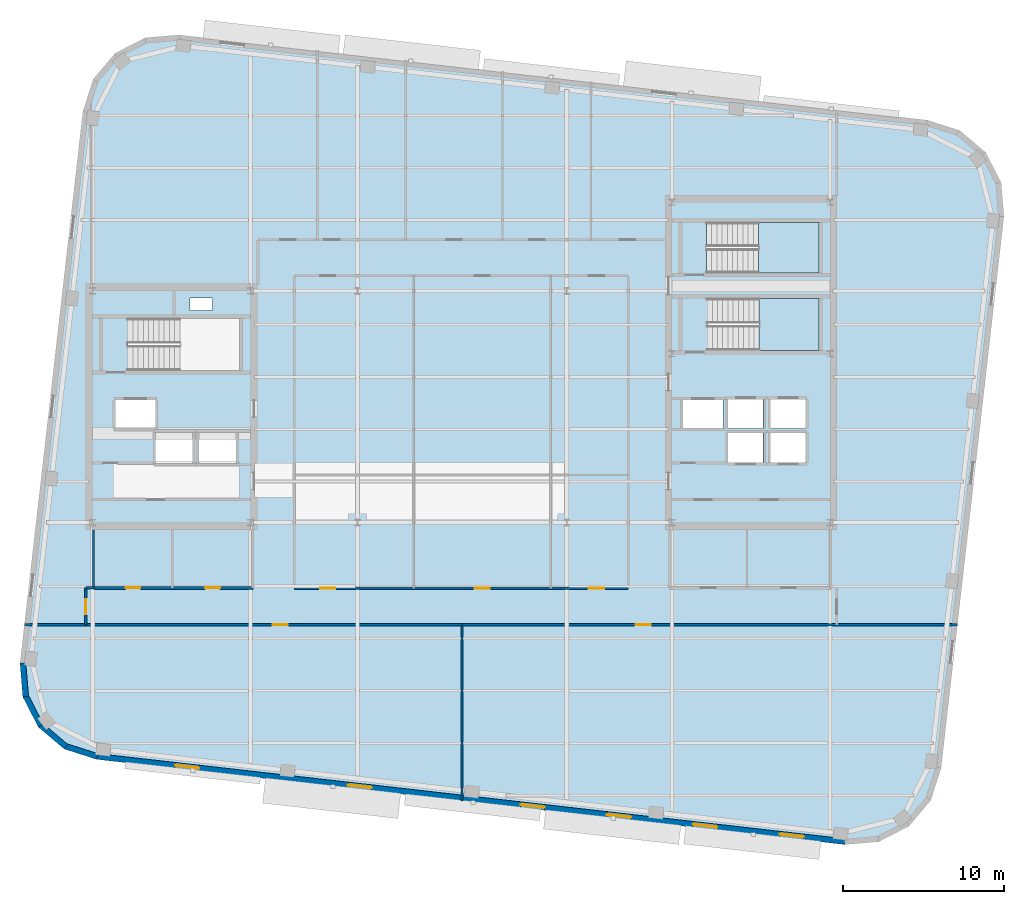
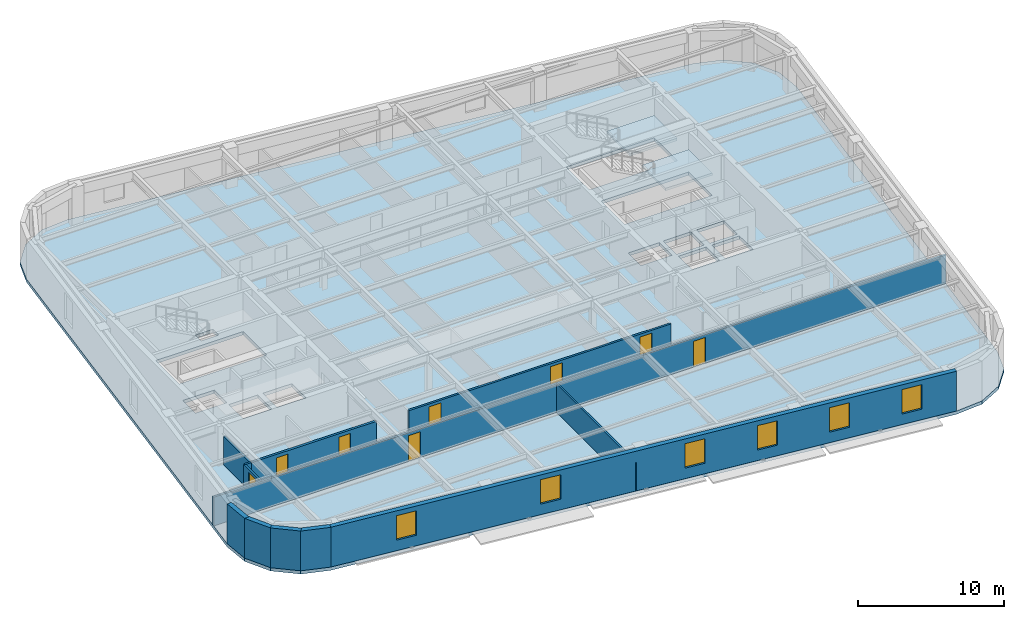
# One storey, part 5 of 13: 12 walls, 8 doors, 6 windows, 3 slabs, 14 openings, 2 elements without a shape of their own.
"""IFC4 building model written with IfcOpenShell, lengths in metres."""

from ifc_helpers import new_model, si_unit, direction, frame, frame_2d, origin, place, context, subcontext, project, spatial, polyline, rectangle, outline, extrude, material, layer, layer_set, type_object, element, fill, aggregate, save


model = new_model("IFC4")

# Units and contexts
model_context = context("Model", 3, precision=1e-05, world=origin(), true_north=direction((0.0, 1.0)))
body_context = subcontext(model_context, "Body", "Model", "MODEL_VIEW")
ifc_project = project(units=[si_unit("LENGTHUNIT", "METRE"), si_unit("AREAUNIT", "SQUARE_METRE"), si_unit("VOLUMEUNIT", "CUBIC_METRE"), si_unit("PLANEANGLEUNIT", "RADIAN"), si_unit("MASSUNIT", "GRAM", prefix="KILO")], contexts=[model_context])

# Site, building, storey
site_placement = place(None, origin())
site = spatial("IfcSite", under=ifc_project, at=site_placement, CompositionType="ELEMENT")
building_placement = place(site_placement, origin())
building = spatial("IfcBuilding", under=site, at=building_placement, Name="Kolvaren Arena Tower", CompositionType="ELEMENT")
storey_placement = place(building_placement, frame((0.0, 0.0, 265.949951171875)))
storey = spatial("IfcBuildingStorey", under=building, at=storey_placement, Name="L65", CompositionType="ELEMENT", Elevation=265.949951171875)

# Stair, slab
ifc_material_1 = material(Name="Concrete 45 MPa", Category="concrete")
stair_type_1 = type_object("IfcStairType", Name="STAIR-CORE-165", PredefinedType="HALF_TURN_STAIR", material=ifc_material_1)
stair_1_placement = place(storey_placement, origin())
stair_1 = element("IfcStair", 1, at=stair_1_placement, inside=storey, type_object=stair_type_1, Name="L65 ST-E1", PredefinedType="HALF_TURN_STAIR")
ifc_layer_1 = layer(ifc_material_1, 0.199951171875)
ifc_layer_set_1 = layer_set([ifc_layer_1], Name="Concrete 45 MPa")
slab_type_1 = type_object("IfcSlabType", Name="SLAB-LAND", PredefinedType="LANDING", material=ifc_layer_set_1)
slab_1_placement = place(storey_placement, frame((0.0, 0.0, 1.675048828125)))
slab_1 = element("IfcSlab", 2, at=slab_1_placement, type_object=slab_type_1, Name="ST-E1 landing 1", PredefinedType="LANDING", context=body_context, shape_type="SweptSolid", body=[
    extrude(outline(polyline([(55.9599609375, 30.14990234375), (59.659912109375, 30.14990234375), (59.659912109375, 33.3798828125), (55.9599609375, 33.3798828125), (55.9599609375, 30.14990234375)])), origin(), (0.0, 0.0, 1.0), 0.199951171875),
])
aggregate(stair_1, [slab_1])

stair_type_2 = type_object("IfcStairType", Name="STAIR-CORE-150", PredefinedType="HALF_TURN_STAIR", material=ifc_material_1)
stair_2_placement = place(storey_placement, origin())
stair_2 = element("IfcStair", 3, at=stair_2_placement, inside=storey, type_object=stair_type_2, Name="L65 ST-E2", PredefinedType="HALF_TURN_STAIR")
slab_2_placement = place(storey_placement, frame((0.0, 0.0, 1.675048828125)))
slab_2 = element("IfcSlab", 4, at=slab_2_placement, type_object=slab_type_1, Name="ST-E2 landing 1", PredefinedType="LANDING", context=body_context, shape_type="SweptSolid", body=[
    extrude(outline(polyline([(55.919921875, 34.949951171875), (59.659912109375, 34.949951171875), (59.659912109375, 38.10009765625), (55.919921875, 38.10009765625), (55.919921875, 34.949951171875)])), origin(), (0.0, 0.0, 1.0), 0.199951171875),
])
aggregate(stair_2, [slab_2])

# Slab
ifc_layer_2 = layer(ifc_material_1, 0.27001953125)
ifc_layer_set_2 = layer_set([ifc_layer_2], Name="Concrete 45 MPa")
slab_type_2 = type_object("IfcSlabType", Name="SLAB-OFF2", PredefinedType="FLOOR", material=ifc_layer_set_2)
slab_3_placement = place(storey_placement, frame((0.0, 0.0, -0.27001953125)))
element("IfcSlab", 5, at=slab_3_placement, inside=storey, type_object=slab_type_2, Name="L65 Primary Structural Slab", PredefinedType="FLOOR", context=body_context, shape_type="SweptSolid", body=[
    extrude(outline(polyline([(61.285400390625, -0.553466796875), (63.38525390625, -0.37890625), (65.25830078125, 0.585693359375), (66.619873046875, 2.194091796875), (67.26220703125, 4.20068359375), (71.16748046875, 38.47900390625), (70.9931640625, 40.57861328125), (70.0283203125, 42.45166015625), (68.42041015625, 43.81298828125), (66.41357421875, 44.455322265625), (19.91455078125, 49.75341796875), (17.814697265625, 49.578857421875), (15.941650390625, 48.6142578125), (14.580078125, 47.006103515625), (13.93798828125, 44.99951171875), (10.032470703125, 10.72119140625), (10.206787109375, 8.621337890625), (11.171630859375, 6.748291015625), (12.77978515625, 5.386962890625), (14.786376953125, 4.74462890625), (61.285400390625, -0.553466796875)]), holes=[polyline([(20.739990234375, 23.135009765625), (18.4599609375, 23.135009765625), (18.4599609375, 25.06494140625), (20.739990234375, 25.06494140625), (20.739990234375, 23.135009765625)]), polyline([(21.159912109375, 23.135009765625), (21.159912109375, 25.06494140625), (23.43994140625, 25.06494140625), (23.43994140625, 23.135009765625), (21.159912109375, 23.135009765625)]), polyline([(56.2099609375, 23.18505859375), (54.030029296875, 23.18505859375), (54.030029296875, 25.014892578125), (56.2099609375, 25.014892578125), (56.2099609375, 23.18505859375)]), polyline([(56.669921875, 23.18505859375), (56.669921875, 25.014892578125), (58.85009765625, 25.014892578125), (58.85009765625, 23.18505859375), (56.669921875, 23.18505859375)]), polyline([(54.030029296875, 25.284912109375), (54.030029296875, 27.114990234375), (56.2099609375, 27.114990234375), (56.2099609375, 25.284912109375), (54.030029296875, 25.284912109375)]), polyline([(58.85009765625, 25.284912109375), (56.669921875, 25.284912109375), (56.669921875, 27.114990234375), (58.85009765625, 27.114990234375), (58.85009765625, 25.284912109375)]), polyline([(15.9599609375, 25.3349609375), (15.9599609375, 27.06494140625), (18.43994140625, 27.06494140625), (18.43994140625, 25.3349609375), (15.9599609375, 25.3349609375)]), polyline([(53.699951171875, 25.3349609375), (51.219970703125, 25.3349609375), (51.219970703125, 27.06494140625), (53.699951171875, 27.06494140625), (53.699951171875, 25.3349609375)]), polyline([(16.735107421875, 28.89990234375), (16.735107421875, 32.1298828125), (23.659912109375, 32.1298828125), (23.659912109375, 28.89990234375), (16.735107421875, 28.89990234375)]), polyline([(52.735107421875, 30.14990234375), (52.735107421875, 33.3798828125), (59.659912109375, 33.3798828125), (59.659912109375, 30.14990234375), (52.735107421875, 30.14990234375)]), polyline([(20.60009765625, 32.6201171875), (20.60009765625, 33.39990234375), (22.0, 33.39990234375), (22.0, 32.6201171875), (20.60009765625, 32.6201171875)]), polyline([(52.695068359375, 34.949951171875), (52.695068359375, 38.10009765625), (59.659912109375, 38.10009765625), (59.659912109375, 34.949951171875), (52.695068359375, 34.949951171875)])]), origin(), (0.0, 0.0, 1.0), 0.27001953125),
])

# Wall, openings, doors
ifc_material_2 = material(Name="Gypsum board acoustic assembly", Category="gypsum")
ifc_layer_3 = layer(ifc_material_2, 0.159912109375)
ifc_layer_set_3 = layer_set([ifc_layer_3], Name="Gypsum board acoustic assembly")
wall_type_1 = type_object("IfcWallType", Name="CORR-160", PredefinedType="PARTITIONING", material=ifc_layer_set_3)
wall_1_placement = place(storey_placement, frame((10.303466796875, 13.10009765625, 0.0), z_axis=(0.0, 0.0, 1.0), x_axis=(1.0, 0.0, 0.0)))
wall_1 = element("IfcWall", 6, at=wall_1_placement, inside=storey, type_object=wall_type_1, Name="Interior Partition Wall (L65)", PredefinedType="PARTITIONING", context=body_context, shape_type="SweptSolid", body=[
    extrude(rectangle(XDim=57.97265625, YDim=0.159912109375, at=frame_2d((28.986328125, 0.0))), origin(), (0.0, 0.0, 1.0), 2.39013671875),
])
opening_1_placement = place(wall_1_placement, frame((15.421630859375, 0.0, 0.0)))
opening_1 = element("IfcOpeningElement", 7, at=opening_1_placement, cuts=wall_1, Name="Opening D05", PredefinedType="OPENING", context=body_context, shape_type="SweptSolid", body=[
    extrude(rectangle(XDim=0.949951171875, YDim=2.14990234375, at=frame_2d((0.47509765625, 1.074951171875))), frame((0.0, 0.08984375, 0.0), z_axis=(0.0, -1.0, 0.0), x_axis=(1.0, 0.0, 0.0)), (0.0, 0.0, 1.0), 0.179931640625),
])
opening_2_placement = place(wall_1_placement, frame((37.9716796875, 0.0, 0.0)))
opening_2 = element("IfcOpeningElement", 8, at=opening_2_placement, cuts=wall_1, Name="Opening D05", PredefinedType="OPENING", context=body_context, shape_type="SweptSolid", body=[
    extrude(rectangle(XDim=0.949951171875, YDim=2.14990234375, at=frame_2d((0.47509765625, 1.074951171875))), frame((0.0, 0.08984375, 0.0), z_axis=(0.0, -1.0, 0.0), x_axis=(1.0, 0.0, 0.0)), (0.0, 0.0, 1.0), 0.179931640625),
])
ifc_material_3 = material(Name="Solid-core oak acoustic office door", Category="wood")
door_type_1 = type_object("IfcDoorType", Name="DOOR-OF-095", OperationType="NOTDEFINED", PredefinedType="DOOR", material=ifc_material_3)
door_1_placement = place(opening_1_placement, origin())
door_1 = element("IfcDoor", 9, at=door_1_placement, inside=storey, type_object=door_type_1, Name="Executive Office Door (L65)", OperationType="SINGLE_SWING_LEFT", OverallHeight=2.14990234375, OverallWidth=0.949951171875, PredefinedType="DOOR", context=body_context, shape_type="SweptSolid", body=[
    extrude(rectangle(XDim=0.949951171875, YDim=2.14990234375, at=frame_2d((0.47509765625, 1.074951171875))), frame((0.0, 0.02490234375, 0.0), z_axis=(0.0, -1.0, 0.0), x_axis=(1.0, 0.0, 0.0)), (0.0, 0.0, 1.0), 0.050048828125),
])
fill(opening_1, door_1)
door_2_placement = place(opening_2_placement, origin())
door_2 = element("IfcDoor", 10, at=door_2_placement, inside=storey, type_object=door_type_1, Name="Executive Office Door (L65)", OperationType="SINGLE_SWING_RIGHT", OverallHeight=2.14990234375, OverallWidth=0.949951171875, PredefinedType="DOOR", context=body_context, shape_type="SweptSolid", body=[
    extrude(rectangle(XDim=0.949951171875, YDim=2.14990234375, at=frame_2d((0.47509765625, 1.074951171875))), frame((0.0, 0.02490234375, 0.0), z_axis=(0.0, -1.0, 0.0), x_axis=(1.0, 0.0, 0.0)), (0.0, 0.0, 1.0), 0.050048828125),
])
fill(opening_2, door_2)

wall_2_placement = place(storey_placement, frame((27.080078125, 15.3798828125, 0.0), z_axis=(0.0, 0.0, 1.0), x_axis=(1.0, 0.0, 0.0)))
wall_2 = element("IfcWall", 11, at=wall_2_placement, inside=storey, type_object=wall_type_1, Name="Interior Partition Wall (L65)", PredefinedType="PARTITIONING", context=body_context, shape_type="SweptSolid", body=[
    extrude(rectangle(XDim=20.739990234375, YDim=0.159912109375, at=frame_2d((10.3701171875, 0.0))), origin(), (0.0, 0.0, 1.0), 2.39013671875),
])
opening_3_placement = place(wall_2_placement, frame((1.594970703125, 0.0, 0.0)))
opening_3 = element("IfcOpeningElement", 12, at=opening_3_placement, cuts=wall_2, Name="Opening D05", PredefinedType="OPENING", context=body_context, shape_type="SweptSolid", body=[
    extrude(rectangle(XDim=0.949951171875, YDim=2.14990234375, at=frame_2d((0.47509765625, 1.074951171875))), frame((0.0, 0.08984375, 0.0), z_axis=(0.0, -1.0, 0.0), x_axis=(1.0, 0.0, 0.0)), (0.0, 0.0, 1.0), 0.179931640625),
])
opening_4_placement = place(wall_2_placement, frame((11.195068359375, 0.0, 0.0)))
opening_4 = element("IfcOpeningElement", 13, at=opening_4_placement, cuts=wall_2, Name="Opening D05", PredefinedType="OPENING", context=body_context, shape_type="SweptSolid", body=[
    extrude(rectangle(XDim=0.949951171875, YDim=2.14990234375, at=frame_2d((0.47509765625, 1.074951171875))), frame((0.0, 0.08984375, 0.0), z_axis=(0.0, -1.0, 0.0), x_axis=(1.0, 0.0, 0.0)), (0.0, 0.0, 1.0), 0.179931640625),
])
opening_5_placement = place(wall_2_placement, frame((18.294921875, 0.0, 0.0)))
opening_5 = element("IfcOpeningElement", 14, at=opening_5_placement, cuts=wall_2, Name="Opening D05", PredefinedType="OPENING", context=body_context, shape_type="SweptSolid", body=[
    extrude(rectangle(XDim=0.949951171875, YDim=2.14990234375, at=frame_2d((0.47509765625, 1.074951171875))), frame((0.0, 0.08984375, 0.0), z_axis=(0.0, -1.0, 0.0), x_axis=(1.0, 0.0, 0.0)), (0.0, 0.0, 1.0), 0.179931640625),
])
door_3_placement = place(opening_3_placement, origin())
door_3 = element("IfcDoor", 15, at=door_3_placement, inside=storey, type_object=door_type_1, Name="Wellness Room Door (L65)", OperationType="SINGLE_SWING_LEFT", OverallHeight=2.14990234375, OverallWidth=0.949951171875, PredefinedType="DOOR", context=body_context, shape_type="SweptSolid", body=[
    extrude(rectangle(XDim=0.949951171875, YDim=2.14990234375, at=frame_2d((0.47509765625, 1.074951171875))), frame((0.0, 0.02490234375, 0.0), z_axis=(0.0, -1.0, 0.0), x_axis=(1.0, 0.0, 0.0)), (0.0, 0.0, 1.0), 0.050048828125),
])
fill(opening_3, door_3)
door_4_placement = place(opening_4_placement, origin())
door_4 = element("IfcDoor", 16, at=door_4_placement, inside=storey, type_object=door_type_1, Name="Boardroom Door (L65)", OperationType="SINGLE_SWING_LEFT", OverallHeight=2.14990234375, OverallWidth=0.949951171875, PredefinedType="DOOR", context=body_context, shape_type="SweptSolid", body=[
    extrude(rectangle(XDim=0.949951171875, YDim=2.14990234375, at=frame_2d((0.47509765625, 1.074951171875))), frame((0.0, 0.02490234375, 0.0), z_axis=(0.0, -1.0, 0.0), x_axis=(1.0, 0.0, 0.0)), (0.0, 0.0, 1.0), 0.050048828125),
])
fill(opening_4, door_4)
door_5_placement = place(opening_5_placement, origin())
door_5 = element("IfcDoor", 17, at=door_5_placement, inside=storey, type_object=door_type_1, Name="Executive Office Door (L65)", OperationType="SINGLE_SWING_LEFT", OverallHeight=2.14990234375, OverallWidth=0.949951171875, PredefinedType="DOOR", context=body_context, shape_type="SweptSolid", body=[
    extrude(rectangle(XDim=0.949951171875, YDim=2.14990234375, at=frame_2d((0.47509765625, 1.074951171875))), frame((0.0, 0.02490234375, 0.0), z_axis=(0.0, -1.0, 0.0), x_axis=(1.0, 0.0, 0.0)), (0.0, 0.0, 1.0), 0.050048828125),
])
fill(opening_5, door_5)

# Wall, opening, door
wall_3_placement = place(storey_placement, frame((14.1201171875, 13.10009765625, 0.0), z_axis=(0.0, 0.0, 1.0), x_axis=(0.0, 1.0, 0.0)))
wall_3 = element("IfcWall", 18, at=wall_3_placement, inside=storey, type_object=wall_type_1, Name="Interior Partition Wall (L65)", PredefinedType="PARTITIONING", context=body_context, shape_type="SweptSolid", body=[
    extrude(rectangle(XDim=2.2998046875, YDim=0.159912109375, at=frame_2d((1.14990234375, 0.0))), origin(), (0.0, 0.0, 1.0), 2.39013671875),
])
opening_6_placement = place(wall_3_placement, frame((0.64990234375, 0.0, 0.0)))
opening_6 = element("IfcOpeningElement", 19, at=opening_6_placement, cuts=wall_3, Name="Opening D05", PredefinedType="OPENING", context=body_context, shape_type="SweptSolid", body=[
    extrude(rectangle(XDim=0.949951171875, YDim=2.14990234375, at=frame_2d((0.47509765625, 1.074951171875))), frame((0.0, 0.08984375, 0.0), z_axis=(0.0, -1.0, 0.0), x_axis=(1.0, 0.0, 0.0)), (0.0, 0.0, 1.0), 0.179931640625),
])
door_6_placement = place(opening_6_placement, origin())
door_6 = element("IfcDoor", 20, at=door_6_placement, inside=storey, type_object=door_type_1, Name="West Wing Office Door (L65)", OperationType="SINGLE_SWING_LEFT", OverallHeight=2.14990234375, OverallWidth=0.949951171875, PredefinedType="DOOR", context=body_context, shape_type="SweptSolid", body=[
    extrude(rectangle(XDim=0.949951171875, YDim=2.14990234375, at=frame_2d((0.47509765625, 1.074951171875))), frame((0.0, 0.02490234375, 0.0), z_axis=(0.0, -1.0, 0.0), x_axis=(1.0, 0.0, 0.0)), (0.0, 0.0, 1.0), 0.050048828125),
])
fill(opening_6, door_6)

# Walls
wall_4_placement = place(storey_placement, frame((14.1201171875, 15.39990234375, 0.0), z_axis=(0.0, 0.0, 1.0), x_axis=(1.0, 0.0, 0.0)))
element("IfcWall", 21, at=wall_4_placement, inside=storey, type_object=wall_type_1, Name="Interior Partition Wall (L65)", PredefinedType="PARTITIONING", context=body_context, shape_type="SweptSolid", body=[
    extrude(rectangle(XDim=0.5, YDim=0.159912109375, at=frame_2d((0.25, 0.0))), origin(), (0.0, 0.0, 1.0), 2.39013671875),
])
ifc_material_4 = material(Name="Precast concrete C50/60", Category="concrete")
ifc_layer_4 = layer(ifc_material_4, 0.360107421875)
ifc_layer_set_4 = layer_set([ifc_layer_4], Name="Precast concrete C50/60")
wall_type_2 = type_object("IfcWallType", Name="EXT-PIER2", PredefinedType="SOLIDWALL", material=ifc_layer_set_4)
wall_5_placement = place(storey_placement, frame((10.38623046875, 8.63623046875, 0.0), z_axis=(0.0, 0.0, 1.0), x_axis=(-0.082729038891, 0.996572077737, 0.0)))
element("IfcWall", 22, at=wall_5_placement, inside=storey, type_object=wall_type_2, Name="Exterior Precast Masonry-Frame Wall (L65)", PredefinedType="SOLIDWALL", context=body_context, shape_type="SweptSolid", body=[
    extrude(rectangle(XDim=2.107177734375, YDim=0.360107421875, at=frame_2d((1.0537109375, 0.0))), origin(), (0.0, 0.0, 1.0), 3.330078125),
])
for number, where, z_axis, x_axis, name in (
    (23, (11.33154296875, 6.830810546875, 0.0), (0.0, 0.0, 1.0), (-0.457934390142, 0.888985992199, 0.0), "Exterior Precast Masonry-Frame Wall (L65)"),
    (24, (12.89599609375, 5.5244140625, 0.0), (0.0, 0.0, 1.0), (-0.763250018691, 0.646103249464, 0.0), "Exterior Precast Masonry-Frame Wall (L65)"),
    (25, (14.84130859375, 4.916015625, 0.0), (0.0, 0.0, 1.0), (-0.952393196904, 0.304872429864, 0.0), "Exterior Precast Masonry-Frame Wall (L65)"),
):
    element("IfcWall", number, at=place(storey_placement, frame(where, z_axis=z_axis, x_axis=x_axis)), inside=storey, type_object=wall_type_2, Name=name, PredefinedType="SOLIDWALL", context=body_context, shape_type="SweptSolid", body=[
        extrude(rectangle(XDim=2.10693359375, YDim=0.360107421875, at=frame_2d((1.053466796875, 0.0))), origin(), (0.0, 0.0, 1.0), 3.330078125),
    ])

# Wall, openings, windows
wall_6_placement = place(storey_placement, frame((61.305908203125, -0.37451171875, 0.0), z_axis=(0.0, 0.0, 1.0), x_axis=(-0.993571958919, 0.113202307616, 0.0)))
wall_6 = element("IfcWall", 26, at=wall_6_placement, inside=storey, type_object=wall_type_2, Name="Exterior Precast Masonry-Frame Wall (L65)", PredefinedType="SOLIDWALL", context=body_context, shape_type="SweptSolid", body=[
    extrude(rectangle(XDim=46.7998046875, YDim=0.360107421875, at=frame_2d((23.39990234375, 0.0))), origin(), (0.0, 0.0, 1.0), 3.330078125),
])
opening_7_placement = place(wall_6_placement, frame((2.60009765625, 0.0, 0.8798828125)))
opening_7 = element("IfcOpeningElement", 27, at=opening_7_placement, cuts=wall_6, Name="Opening W03", PredefinedType="OPENING", context=body_context, shape_type="SweptSolid", body=[
    extrude(rectangle(XDim=1.5, YDim=2.050048828125, at=frame_2d((0.75, 1.02490234375))), frame((0.0, 0.18994140625, 0.0), z_axis=(0.0, -1.0, 0.0), x_axis=(1.0, 0.0, 0.0)), (0.0, 0.0, 1.0), 0.380126953125),
])
opening_8_placement = place(wall_6_placement, frame((8.0, 0.0, 0.8798828125)))
opening_8 = element("IfcOpeningElement", 28, at=opening_8_placement, cuts=wall_6, Name="Opening W03", PredefinedType="OPENING", context=body_context, shape_type="SweptSolid", body=[
    extrude(rectangle(XDim=1.5, YDim=2.050048828125, at=frame_2d((0.75, 1.02490234375))), frame((0.0, 0.18994140625, 0.0), z_axis=(0.0, -1.0, 0.0), x_axis=(1.0, 0.0, 0.0)), (0.0, 0.0, 1.0), 0.380126953125),
])
opening_9_placement = place(wall_6_placement, frame((13.39990234375, 0.0, 0.8798828125)))
opening_9 = element("IfcOpeningElement", 29, at=opening_9_placement, cuts=wall_6, Name="Opening W03", PredefinedType="OPENING", context=body_context, shape_type="SweptSolid", body=[
    extrude(rectangle(XDim=1.5, YDim=2.050048828125, at=frame_2d((0.75, 1.02490234375))), frame((0.0, 0.18994140625, 0.0), z_axis=(0.0, -1.0, 0.0), x_axis=(1.0, 0.0, 0.0)), (0.0, 0.0, 1.0), 0.380126953125),
])
opening_10_placement = place(wall_6_placement, frame((18.800048828125, 0.0, 0.8798828125)))
opening_10 = element("IfcOpeningElement", 30, at=opening_10_placement, cuts=wall_6, Name="Opening W03", PredefinedType="OPENING", context=body_context, shape_type="SweptSolid", body=[
    extrude(rectangle(XDim=1.5, YDim=2.050048828125, at=frame_2d((0.75, 1.02490234375))), frame((0.0, 0.18994140625, 0.0), z_axis=(0.0, -1.0, 0.0), x_axis=(1.0, 0.0, 0.0)), (0.0, 0.0, 1.0), 0.380126953125),
])
opening_11_placement = place(wall_6_placement, frame((29.60009765625, 0.0, 0.8798828125)))
opening_11 = element("IfcOpeningElement", 31, at=opening_11_placement, cuts=wall_6, Name="Opening W03", PredefinedType="OPENING", context=body_context, shape_type="SweptSolid", body=[
    extrude(rectangle(XDim=1.5, YDim=2.050048828125, at=frame_2d((0.75, 1.02490234375))), frame((0.0, 0.18994140625, 0.0), z_axis=(0.0, -1.0, 0.0), x_axis=(1.0, 0.0, 0.0)), (0.0, 0.0, 1.0), 0.380126953125),
])
opening_12_placement = place(wall_6_placement, frame((40.39990234375, 0.0, 0.8798828125)))
opening_12 = element("IfcOpeningElement", 32, at=opening_12_placement, cuts=wall_6, Name="Opening W03", PredefinedType="OPENING", context=body_context, shape_type="SweptSolid", body=[
    extrude(rectangle(XDim=1.5, YDim=2.050048828125, at=frame_2d((0.75, 1.02490234375))), frame((0.0, 0.18994140625, 0.0), z_axis=(0.0, -1.0, 0.0), x_axis=(1.0, 0.0, 0.0)), (0.0, 0.0, 1.0), 0.380126953125),
])
ifc_material_5 = material(Name="Triple-glazed low-E aluminium window", Category="aluminium")
window_type = type_object("IfcWindowType", Name="WIN-OFF-C", PartitioningType="SINGLE_PANEL", PredefinedType="WINDOW", material=ifc_material_5)
window_1_placement = place(opening_7_placement, origin())
window_1 = element("IfcWindow", 33, at=window_1_placement, inside=storey, type_object=window_type, Name="Punched Precast-Pier Window (L65)", OverallHeight=2.050048828125, OverallWidth=1.5, PartitioningType="SINGLE_PANEL", PredefinedType="WINDOW", context=body_context, shape_type="SweptSolid", body=[
    extrude(rectangle(XDim=1.5, YDim=2.050048828125, at=frame_2d((0.75, 1.02490234375))), frame((0.0, 0.030029296875, 0.0), z_axis=(0.0, -1.0, 0.0), x_axis=(1.0, 0.0, 0.0)), (0.0, 0.0, 1.0), 0.06005859375),
])
fill(opening_7, window_1)
window_2_placement = place(opening_8_placement, origin())
window_2 = element("IfcWindow", 34, at=window_2_placement, inside=storey, type_object=window_type, Name="Punched Precast-Pier Window (L65)", OverallHeight=2.050048828125, OverallWidth=1.5, PartitioningType="SINGLE_PANEL", PredefinedType="WINDOW", context=body_context, shape_type="SweptSolid", body=[
    extrude(rectangle(XDim=1.5, YDim=2.050048828125, at=frame_2d((0.75, 1.02490234375))), frame((0.0, 0.030029296875, 0.0), z_axis=(0.0, -1.0, 0.0), x_axis=(1.0, 0.0, 0.0)), (0.0, 0.0, 1.0), 0.06005859375),
])
fill(opening_8, window_2)
window_3_placement = place(opening_9_placement, origin())
window_3 = element("IfcWindow", 35, at=window_3_placement, inside=storey, type_object=window_type, Name="Punched Precast-Pier Window (L65)", OverallHeight=2.050048828125, OverallWidth=1.5, PartitioningType="SINGLE_PANEL", PredefinedType="WINDOW", context=body_context, shape_type="SweptSolid", body=[
    extrude(rectangle(XDim=1.5, YDim=2.050048828125, at=frame_2d((0.75, 1.02490234375))), frame((0.0, 0.030029296875, 0.0), z_axis=(0.0, -1.0, 0.0), x_axis=(1.0, 0.0, 0.0)), (0.0, 0.0, 1.0), 0.06005859375),
])
fill(opening_9, window_3)
window_4_placement = place(opening_10_placement, origin())
window_4 = element("IfcWindow", 36, at=window_4_placement, inside=storey, type_object=window_type, Name="Punched Precast-Pier Window (L65)", OverallHeight=2.050048828125, OverallWidth=1.5, PartitioningType="SINGLE_PANEL", PredefinedType="WINDOW", context=body_context, shape_type="SweptSolid", body=[
    extrude(rectangle(XDim=1.5, YDim=2.050048828125, at=frame_2d((0.75, 1.02490234375))), frame((0.0, 0.030029296875, 0.0), z_axis=(0.0, -1.0, 0.0), x_axis=(1.0, 0.0, 0.0)), (0.0, 0.0, 1.0), 0.06005859375),
])
fill(opening_10, window_4)
window_5_placement = place(opening_11_placement, origin())
window_5 = element("IfcWindow", 37, at=window_5_placement, inside=storey, type_object=window_type, Name="Punched Precast-Pier Window (L65)", OverallHeight=2.050048828125, OverallWidth=1.5, PartitioningType="SINGLE_PANEL", PredefinedType="WINDOW", context=body_context, shape_type="SweptSolid", body=[
    extrude(rectangle(XDim=1.5, YDim=2.050048828125, at=frame_2d((0.75, 1.02490234375))), frame((0.0, 0.030029296875, 0.0), z_axis=(0.0, -1.0, 0.0), x_axis=(1.0, 0.0, 0.0)), (0.0, 0.0, 1.0), 0.06005859375),
])
fill(opening_11, window_5)
window_6_placement = place(opening_12_placement, origin())
window_6 = element("IfcWindow", 38, at=window_6_placement, inside=storey, type_object=window_type, Name="Punched Precast-Pier Window (L65)", OverallHeight=2.050048828125, OverallWidth=1.5, PartitioningType="SINGLE_PANEL", PredefinedType="WINDOW", context=body_context, shape_type="SweptSolid", body=[
    extrude(rectangle(XDim=1.5, YDim=2.050048828125, at=frame_2d((0.75, 1.02490234375))), frame((0.0, 0.030029296875, 0.0), z_axis=(0.0, -1.0, 0.0), x_axis=(1.0, 0.0, 0.0)), (0.0, 0.0, 1.0), 0.06005859375),
])
fill(opening_12, window_6)

# Wall
ifc_material_6 = material(Name="Gypsum board partition assembly", Category="gypsum")
ifc_layer_5 = layer(ifc_material_6, 0.135009765625)
ifc_layer_set_5 = layer_set([ifc_layer_5], Name="Gypsum board partition assembly")
wall_type_3 = type_object("IfcWallType", Name="PART-135", PredefinedType="PARTITIONING", material=ifc_layer_set_5)
wall_7_placement = place(storey_placement, frame((37.5, 2.15673828125, 0.0), z_axis=(0.0, 0.0, 1.0), x_axis=(0.0, 1.0, 0.0)))
element("IfcWall", 39, at=wall_7_placement, inside=storey, type_object=wall_type_3, Name="Interior Partition Wall (L65)", PredefinedType="PARTITIONING", context=body_context, shape_type="SweptSolid", body=[
    extrude(rectangle(XDim=10.943359375, YDim=0.135009765625, at=frame_2d((5.4716796875, 0.0))), origin(), (0.0, 0.0, 1.0), 2.39013671875),
])

# Wall, openings, doors
ifc_material_7 = material(Name="Moisture-resistant gypsum assembly", Category="gypsum")
ifc_layer_6 = layer(ifc_material_7, 0.14990234375)
ifc_layer_set_6 = layer_set([ifc_layer_6], Name="Moisture-resistant gypsum assembly")
wall_type_4 = type_object("IfcWallType", Name="WETW-150", PredefinedType="PARTITIONING", material=ifc_layer_set_6)
wall_8_placement = place(storey_placement, frame((14.60009765625, 15.39990234375, 0.0), z_axis=(0.0, 0.0, 1.0), x_axis=(1.0, 0.0, 0.0)))
wall_8 = element("IfcWall", 40, at=wall_8_placement, inside=storey, type_object=wall_type_4, Name="Interior Partition Wall (L65)", PredefinedType="PARTITIONING", context=body_context, shape_type="SweptSolid", body=[
    extrude(rectangle(XDim=9.89990234375, YDim=0.179931640625, at=frame_2d((4.949951171875, 0.0))), origin(), (0.0, 0.0, 1.0), 2.39013671875),
])
opening_13_placement = place(wall_8_placement, frame((1.989990234375, 0.0, 0.0)))
opening_13 = element("IfcOpeningElement", 41, at=opening_13_placement, cuts=wall_8, Name="Opening D07", PredefinedType="OPENING", context=body_context, shape_type="SweptSolid", body=[
    extrude(rectangle(XDim=0.919921875, YDim=2.10009765625, at=frame_2d((0.4599609375, 1.050048828125))), frame((0.0, 0.099853515625, 0.0), z_axis=(0.0, -1.0, 0.0), x_axis=(1.0, 0.0, 0.0)), (0.0, 0.0, 1.0), 0.199951171875),
])
opening_14_placement = place(wall_8_placement, frame((6.93994140625, 0.0, 0.0)))
opening_14 = element("IfcOpeningElement", 42, at=opening_14_placement, cuts=wall_8, Name="Opening D07", PredefinedType="OPENING", context=body_context, shape_type="SweptSolid", body=[
    extrude(rectangle(XDim=0.919921875, YDim=2.10009765625, at=frame_2d((0.4599609375, 1.050048828125))), frame((0.0, 0.099853515625, 0.0), z_axis=(0.0, -1.0, 0.0), x_axis=(1.0, 0.0, 0.0)), (0.0, 0.0, 1.0), 0.199951171875),
])
ifc_material_8 = material(Name="Laminate universal washroom door", Category="wood")
door_type_2 = type_object("IfcDoorType", Name="DOOR-WC-092", OperationType="NOTDEFINED", PredefinedType="DOOR", material=ifc_material_8)
door_7_placement = place(opening_13_placement, origin())
door_7 = element("IfcDoor", 43, at=door_7_placement, inside=storey, type_object=door_type_2, Name="Universal Barrier-Free Washroom Door (L65)", OperationType="SINGLE_SWING_LEFT", OverallHeight=2.10009765625, OverallWidth=0.919921875, PredefinedType="DOOR", context=body_context, shape_type="SweptSolid", body=[
    extrude(rectangle(XDim=0.919921875, YDim=2.10009765625, at=frame_2d((0.4599609375, 1.050048828125))), frame((0.0, 0.02490234375, 0.0), z_axis=(0.0, -1.0, 0.0), x_axis=(1.0, 0.0, 0.0)), (0.0, 0.0, 1.0), 0.050048828125),
])
fill(opening_13, door_7)
door_8_placement = place(opening_14_placement, origin())
door_8 = element("IfcDoor", 44, at=door_8_placement, inside=storey, type_object=door_type_2, Name="Gender-Neutral Washroom Door (L65)", OperationType="SINGLE_SWING_RIGHT", OverallHeight=2.10009765625, OverallWidth=0.919921875, PredefinedType="DOOR", context=body_context, shape_type="SweptSolid", body=[
    extrude(rectangle(XDim=0.919921875, YDim=2.10009765625, at=frame_2d((0.4599609375, 1.050048828125))), frame((0.0, 0.02490234375, 0.0), z_axis=(0.0, -1.0, 0.0), x_axis=(1.0, 0.0, 0.0)), (0.0, 0.0, 1.0), 0.050048828125),
])
fill(opening_14, door_8)

# Wall
wall_9_placement = place(storey_placement, frame((14.60009765625, 15.39990234375, 0.0), z_axis=(0.0, 0.0, 1.0), x_axis=(0.0, 1.0, 0.0)))
element("IfcWall", 45, at=wall_9_placement, inside=storey, type_object=wall_type_4, Name="Interior Partition Wall (L65)", PredefinedType="PARTITIONING", context=body_context, shape_type="SweptSolid", body=[
    extrude(rectangle(XDim=3.580078125, YDim=0.14990234375, at=frame_2d((1.7900390625, 0.0))), origin(), (0.0, 0.0, 1.0), 2.39013671875),
])

save(model, "model.ifc")
